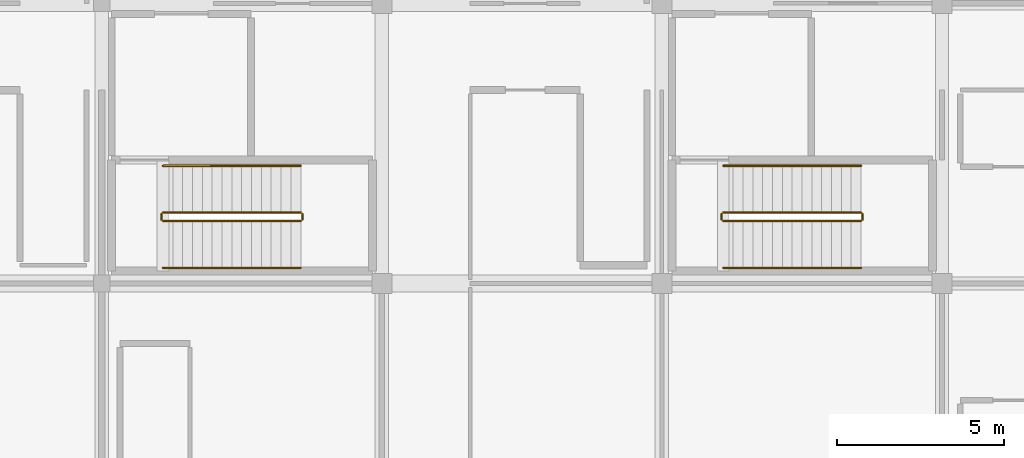
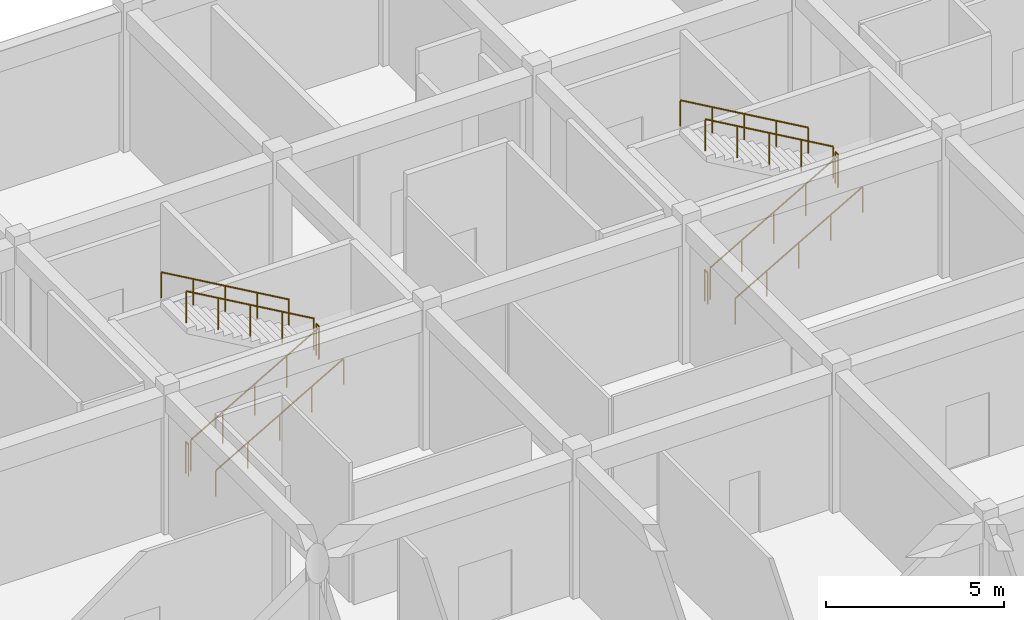
# One storey, part 125 of 134: 12 railings.
"""IFC4 building model written with IfcOpenShell, lengths in metres."""

from ifc_helpers import new_model, si_unit, direction, frame, origin, origin_2d, place, context, subcontext, project, spatial, circle, extrude, material, type_object, element, save


model = new_model("IFC4")

# Units and contexts
model_context = context("Model", 3, precision=1e-05, world=origin(), true_north=direction((0.0, 1.0)))
body_context = subcontext(model_context, "Body", "Model", "MODEL_VIEW")
ifc_project = project(units=[si_unit("LENGTHUNIT", "METRE"), si_unit("AREAUNIT", "SQUARE_METRE"), si_unit("VOLUMEUNIT", "CUBIC_METRE"), si_unit("PLANEANGLEUNIT", "RADIAN"), si_unit("MASSUNIT", "GRAM", prefix="KILO")], contexts=[model_context])

# Site, building, storey
site_placement = place(None, origin())
site = spatial("IfcSite", under=ifc_project, at=site_placement, CompositionType="ELEMENT")
building_placement = place(site_placement, origin())
building = spatial("IfcBuilding", under=site, at=building_placement, Name="Bramfleet General Hospital", CompositionType="ELEMENT")
storey_placement = place(building_placement, frame((0.0, 0.0, 9.300048828125)))
storey = spatial("IfcBuildingStorey", under=building, at=storey_placement, Name="L02", CompositionType="ELEMENT", Elevation=9.300048828125)

# Railings
ifc_material_1 = material(Name="Powder-coated steel stair balustrade", Category="steel")
railing_type_1 = type_object("IfcRailingType", Name="RAIL-ST-GUARD", PredefinedType="GUARDRAIL", material=ifc_material_1)
railing_1_placement = place(storey_placement, frame((35.43994140625, 102.669921875, 0.169921875)))
element("IfcRailing", 1, at=railing_1_placement, inside=storey, type_object=railing_type_1, Name="L02 ST-C8 stair guard 1", PredefinedType="GUARDRAIL", context=body_context, shape_type="SweptSolid", body=[
    extrude(circle(Radius=0.02392578125, at=origin_2d()), frame((0.0, 0.0, 1.076171875), z_axis=(0.866425082981, 0.0, 0.499307095465), x_axis=(0.0, 1.0, 0.0)), (0.0, 0.0, 1.0), 4.766845703125),
    extrude(circle(Radius=0.02099609375, at=origin_2d()), origin(), (0.0, 0.0, 1.0), 1.052001953125),
    extrude(circle(Radius=0.02099609375, at=origin_2d()), frame((1.032470703125, 0.0, 0.594970703125)), (0.0, 0.0, 1.0), 1.052001953125),
    extrude(circle(Radius=0.02099609375, at=origin_2d()), frame((2.06494140625, 0.0, 1.18994140625)), (0.0, 0.0, 1.0), 1.052001953125),
    extrude(circle(Radius=0.02099609375, at=origin_2d()), frame((3.09765625, 0.0, 1.78515625)), (0.0, 0.0, 1.0), 1.052001953125),
    extrude(circle(Radius=0.02099609375, at=origin_2d()), frame((4.130126953125, 0.0, 2.380126953125)), (0.0, 0.0, 1.0), 1.052001953125),
])
railing_2_placement = place(storey_placement, frame((39.6201171875, 102.719970703125, 2.550048828125)))
element("IfcRailing", 2, at=railing_2_placement, inside=storey, type_object=railing_type_1, Name="L02 ST-C8 stair guard 2", PredefinedType="GUARDRAIL", context=body_context, shape_type="SweptSolid", body=[
    extrude(circle(Radius=0.02392578125, at=origin_2d()), frame((0.0, 0.0, 1.076171875), z_axis=(0.0, 1.0, 0.0), x_axis=(-1.0, 0.0, 0.0)), (0.0, 0.0, 1.0), 0.159912109375),
    extrude(circle(Radius=0.02099609375, at=origin_2d()), origin(), (0.0, 0.0, 1.0), 1.052001953125),
    extrude(circle(Radius=0.02099609375, at=origin_2d()), frame((0.0, 0.159912109375, 0.0)), (0.0, 0.0, 1.0), 1.052001953125),
])
railing_3_placement = place(storey_placement, frame((39.570068359375, 102.929931640625, 2.719970703125)))
element("IfcRailing", 3, at=railing_3_placement, inside=storey, type_object=railing_type_1, Name="L02 ST-C8 stair guard 3", PredefinedType="GUARDRAIL", context=body_context, shape_type="SweptSolid", body=[
    extrude(circle(Radius=0.02392578125, at=origin_2d()), frame((0.0, 0.0, 1.076171875), z_axis=(-0.866447239463, 0.0, 0.499268646349), x_axis=(0.0, -1.0, 0.0)), (0.0, 0.0, 1.0), 4.766845703125),
    extrude(circle(Radius=0.02099609375, at=origin_2d()), origin(), (0.0, 0.0, 1.0), 1.052001953125),
    extrude(circle(Radius=0.02099609375, at=origin_2d()), frame((-1.032470703125, 0.0, 0.594970703125)), (0.0, 0.0, 1.0), 1.052001953125),
    extrude(circle(Radius=0.02099609375, at=origin_2d()), frame((-2.06494140625, 0.0, 1.18994140625)), (0.0, 0.0, 1.0), 1.052001953125),
    extrude(circle(Radius=0.02099609375, at=origin_2d()), frame((-3.09765625, 0.0, 1.784912109375)), (0.0, 0.0, 1.0), 1.052001953125),
    extrude(circle(Radius=0.02099609375, at=origin_2d()), frame((-4.130126953125, 0.0, 2.3798828125)), (0.0, 0.0, 1.0), 1.052001953125),
])
railing_4_placement = place(storey_placement, frame((35.389892578125, 102.719970703125, 0.0)))
element("IfcRailing", 4, at=railing_4_placement, inside=storey, type_object=railing_type_1, Name="L02 ST-C8 stair guard 4", PredefinedType="GUARDRAIL", context=body_context, shape_type="SweptSolid", body=[
    extrude(circle(Radius=0.02392578125, at=origin_2d()), frame((0.0, 0.0, 1.076171875), z_axis=(0.0, 1.0, 0.0), x_axis=(-1.0, 0.0, 0.0)), (0.0, 0.0, 1.0), 0.159912109375),
    extrude(circle(Radius=0.02099609375, at=origin_2d()), origin(), (0.0, 0.0, 1.0), 1.052001953125),
    extrude(circle(Radius=0.02099609375, at=origin_2d()), frame((0.0, 0.159912109375, 0.0)), (0.0, 0.0, 1.0), 1.052001953125),
])
railing_5_placement = place(storey_placement, frame((52.239990234375, 102.669921875, 0.169921875)))
element("IfcRailing", 5, at=railing_5_placement, inside=storey, type_object=railing_type_1, Name="L02 ST-C14 stair guard 1", PredefinedType="GUARDRAIL", context=body_context, shape_type="SweptSolid", body=[
    extrude(circle(Radius=0.02392578125, at=origin_2d()), frame((0.0, 0.0, 1.076171875), z_axis=(0.866425082981, 0.0, 0.499307095465), x_axis=(0.0, 1.0, 0.0)), (0.0, 0.0, 1.0), 4.766845703125),
    extrude(circle(Radius=0.02099609375, at=origin_2d()), origin(), (0.0, 0.0, 1.0), 1.052001953125),
    extrude(circle(Radius=0.02099609375, at=origin_2d()), frame((1.032470703125, 0.0, 0.594970703125)), (0.0, 0.0, 1.0), 1.052001953125),
    extrude(circle(Radius=0.02099609375, at=origin_2d()), frame((2.06494140625, 0.0, 1.18994140625)), (0.0, 0.0, 1.0), 1.052001953125),
    extrude(circle(Radius=0.02099609375, at=origin_2d()), frame((3.09765625, 0.0, 1.78515625)), (0.0, 0.0, 1.0), 1.052001953125),
    extrude(circle(Radius=0.02099609375, at=origin_2d()), frame((4.130126953125, 0.0, 2.380126953125)), (0.0, 0.0, 1.0), 1.052001953125),
])
railing_6_placement = place(storey_placement, frame((56.419921875, 102.719970703125, 2.550048828125)))
element("IfcRailing", 6, at=railing_6_placement, inside=storey, type_object=railing_type_1, Name="L02 ST-C14 stair guard 2", PredefinedType="GUARDRAIL", context=body_context, shape_type="SweptSolid", body=[
    extrude(circle(Radius=0.02392578125, at=origin_2d()), frame((0.0, 0.0, 1.076171875), z_axis=(0.0, 1.0, 0.0), x_axis=(-1.0, 0.0, 0.0)), (0.0, 0.0, 1.0), 0.159912109375),
    extrude(circle(Radius=0.02099609375, at=origin_2d()), origin(), (0.0, 0.0, 1.0), 1.052001953125),
    extrude(circle(Radius=0.02099609375, at=origin_2d()), frame((0.0, 0.159912109375, 0.0)), (0.0, 0.0, 1.0), 1.052001953125),
])
railing_7_placement = place(storey_placement, frame((56.3701171875, 102.929931640625, 2.719970703125)))
element("IfcRailing", 7, at=railing_7_placement, inside=storey, type_object=railing_type_1, Name="L02 ST-C14 stair guard 3", PredefinedType="GUARDRAIL", context=body_context, shape_type="SweptSolid", body=[
    extrude(circle(Radius=0.02392578125, at=origin_2d()), frame((0.0, 0.0, 1.076171875), z_axis=(-0.866447239463, 0.0, 0.499268646349), x_axis=(0.0, -1.0, 0.0)), (0.0, 0.0, 1.0), 4.766845703125),
    extrude(circle(Radius=0.02099609375, at=origin_2d()), origin(), (0.0, 0.0, 1.0), 1.052001953125),
    extrude(circle(Radius=0.02099609375, at=origin_2d()), frame((-1.032470703125, 0.0, 0.594970703125)), (0.0, 0.0, 1.0), 1.052001953125),
    extrude(circle(Radius=0.02099609375, at=origin_2d()), frame((-2.06494140625, 0.0, 1.18994140625)), (0.0, 0.0, 1.0), 1.052001953125),
    extrude(circle(Radius=0.02099609375, at=origin_2d()), frame((-3.09765625, 0.0, 1.784912109375)), (0.0, 0.0, 1.0), 1.052001953125),
    extrude(circle(Radius=0.02099609375, at=origin_2d()), frame((-4.130126953125, 0.0, 2.3798828125)), (0.0, 0.0, 1.0), 1.052001953125),
])
railing_8_placement = place(storey_placement, frame((52.18994140625, 102.719970703125, 0.0)))
element("IfcRailing", 8, at=railing_8_placement, inside=storey, type_object=railing_type_1, Name="L02 ST-C14 stair guard 4", PredefinedType="GUARDRAIL", context=body_context, shape_type="SweptSolid", body=[
    extrude(circle(Radius=0.02392578125, at=origin_2d()), frame((0.0, 0.0, 1.076171875), z_axis=(0.0, 1.0, 0.0), x_axis=(-1.0, 0.0, 0.0)), (0.0, 0.0, 1.0), 0.159912109375),
    extrude(circle(Radius=0.02099609375, at=origin_2d()), origin(), (0.0, 0.0, 1.0), 1.052001953125),
    extrude(circle(Radius=0.02099609375, at=origin_2d()), frame((0.0, 0.159912109375, 0.0)), (0.0, 0.0, 1.0), 1.052001953125),
])
ifc_material_2 = material(Name="Stainless steel 1.4301 stair handrail", Category="steel")
railing_type_2 = type_object("IfcRailingType", Name="RAIL-ST-HND", PredefinedType="HANDRAIL", material=ifc_material_2)
railing_9_placement = place(storey_placement, frame((35.43994140625, 101.27001953125, 0.169921875)))
element("IfcRailing", 9, at=railing_9_placement, inside=storey, type_object=railing_type_2, Name="L02 ST-C8 stair handrail 1", PredefinedType="HANDRAIL", context=body_context, shape_type="SweptSolid", body=[
    extrude(circle(Radius=0.02392578125, at=origin_2d()), frame((0.0, 0.0, 0.8759765625), z_axis=(0.866425082981, 0.0, 0.499307095465), x_axis=(0.0, 1.0, 0.0)), (0.0, 0.0, 1.0), 4.766845703125),
    extrude(circle(Radius=0.02099609375, at=origin_2d()), origin(), (0.0, 0.0, 1.0), 0.851806640625),
    extrude(circle(Radius=0.02099609375, at=origin_2d()), frame((1.032470703125, 0.0, 0.594970703125)), (0.0, 0.0, 1.0), 0.851806640625),
    extrude(circle(Radius=0.02099609375, at=origin_2d()), frame((2.06494140625, 0.0, 1.18994140625)), (0.0, 0.0, 1.0), 0.851806640625),
    extrude(circle(Radius=0.02099609375, at=origin_2d()), frame((3.09765625, 0.0, 1.78515625)), (0.0, 0.0, 1.0), 0.851806640625),
    extrude(circle(Radius=0.02099609375, at=origin_2d()), frame((4.130126953125, 0.0, 2.380126953125)), (0.0, 0.0, 1.0), 0.851806640625),
])
railing_10_placement = place(storey_placement, frame((39.570068359375, 104.330078125, 2.719970703125)))
element("IfcRailing", 10, at=railing_10_placement, inside=storey, type_object=railing_type_2, Name="L02 ST-C8 stair handrail 2", PredefinedType="HANDRAIL", context=body_context, shape_type="SweptSolid", body=[
    extrude(circle(Radius=0.02392578125, at=origin_2d()), frame((0.0, 0.0, 0.8759765625), z_axis=(-0.866447239463, 0.0, 0.499268646349), x_axis=(0.0, -1.0, 0.0)), (0.0, 0.0, 1.0), 4.766845703125),
    extrude(circle(Radius=0.02099609375, at=origin_2d()), origin(), (0.0, 0.0, 1.0), 0.851806640625),
    extrude(circle(Radius=0.02099609375, at=origin_2d()), frame((-1.032470703125, 0.0, 0.594970703125)), (0.0, 0.0, 1.0), 0.851806640625),
    extrude(circle(Radius=0.02099609375, at=origin_2d()), frame((-2.06494140625, 0.0, 1.18994140625)), (0.0, 0.0, 1.0), 0.851806640625),
    extrude(circle(Radius=0.02099609375, at=origin_2d()), frame((-3.09765625, 0.0, 1.784912109375)), (0.0, 0.0, 1.0), 0.851806640625),
    extrude(circle(Radius=0.02099609375, at=origin_2d()), frame((-4.130126953125, 0.0, 2.3798828125)), (0.0, 0.0, 1.0), 0.851806640625),
])
railing_11_placement = place(storey_placement, frame((52.239990234375, 101.27001953125, 0.169921875)))
element("IfcRailing", 11, at=railing_11_placement, inside=storey, type_object=railing_type_2, Name="L02 ST-C14 stair handrail 1", PredefinedType="HANDRAIL", context=body_context, shape_type="SweptSolid", body=[
    extrude(circle(Radius=0.02392578125, at=origin_2d()), frame((0.0, 0.0, 0.8759765625), z_axis=(0.866425082981, 0.0, 0.499307095465), x_axis=(0.0, 1.0, 0.0)), (0.0, 0.0, 1.0), 4.766845703125),
    extrude(circle(Radius=0.02099609375, at=origin_2d()), origin(), (0.0, 0.0, 1.0), 0.851806640625),
    extrude(circle(Radius=0.02099609375, at=origin_2d()), frame((1.032470703125, 0.0, 0.594970703125)), (0.0, 0.0, 1.0), 0.851806640625),
    extrude(circle(Radius=0.02099609375, at=origin_2d()), frame((2.06494140625, 0.0, 1.18994140625)), (0.0, 0.0, 1.0), 0.851806640625),
    extrude(circle(Radius=0.02099609375, at=origin_2d()), frame((3.09765625, 0.0, 1.78515625)), (0.0, 0.0, 1.0), 0.851806640625),
    extrude(circle(Radius=0.02099609375, at=origin_2d()), frame((4.130126953125, 0.0, 2.380126953125)), (0.0, 0.0, 1.0), 0.851806640625),
])
railing_12_placement = place(storey_placement, frame((56.3701171875, 104.330078125, 2.719970703125)))
element("IfcRailing", 12, at=railing_12_placement, inside=storey, type_object=railing_type_2, Name="L02 ST-C14 stair handrail 2", PredefinedType="HANDRAIL", context=body_context, shape_type="SweptSolid", body=[
    extrude(circle(Radius=0.02392578125, at=origin_2d()), frame((0.0, 0.0, 0.8759765625), z_axis=(-0.866447239463, 0.0, 0.499268646349), x_axis=(0.0, -1.0, 0.0)), (0.0, 0.0, 1.0), 4.766845703125),
    extrude(circle(Radius=0.02099609375, at=origin_2d()), origin(), (0.0, 0.0, 1.0), 0.851806640625),
    extrude(circle(Radius=0.02099609375, at=origin_2d()), frame((-1.032470703125, 0.0, 0.594970703125)), (0.0, 0.0, 1.0), 0.851806640625),
    extrude(circle(Radius=0.02099609375, at=origin_2d()), frame((-2.06494140625, 0.0, 1.18994140625)), (0.0, 0.0, 1.0), 0.851806640625),
    extrude(circle(Radius=0.02099609375, at=origin_2d()), frame((-3.09765625, 0.0, 1.784912109375)), (0.0, 0.0, 1.0), 0.851806640625),
    extrude(circle(Radius=0.02099609375, at=origin_2d()), frame((-4.130126953125, 0.0, 2.3798828125)), (0.0, 0.0, 1.0), 0.851806640625),
])

save(model, "model.ifc")
